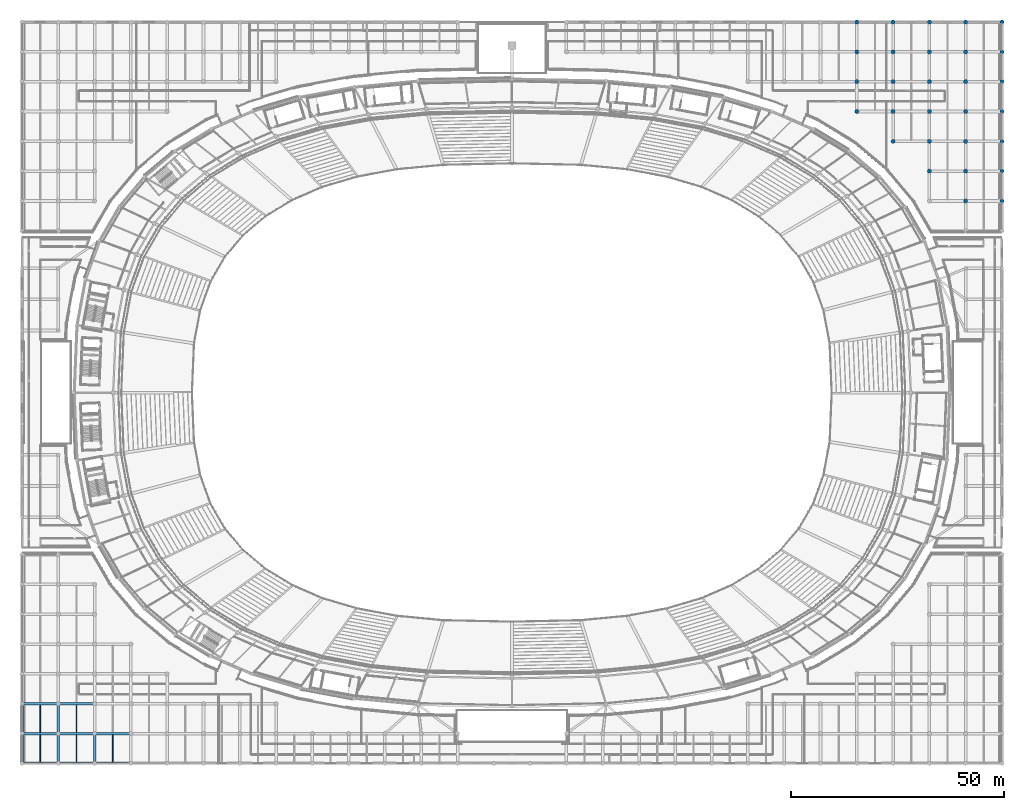
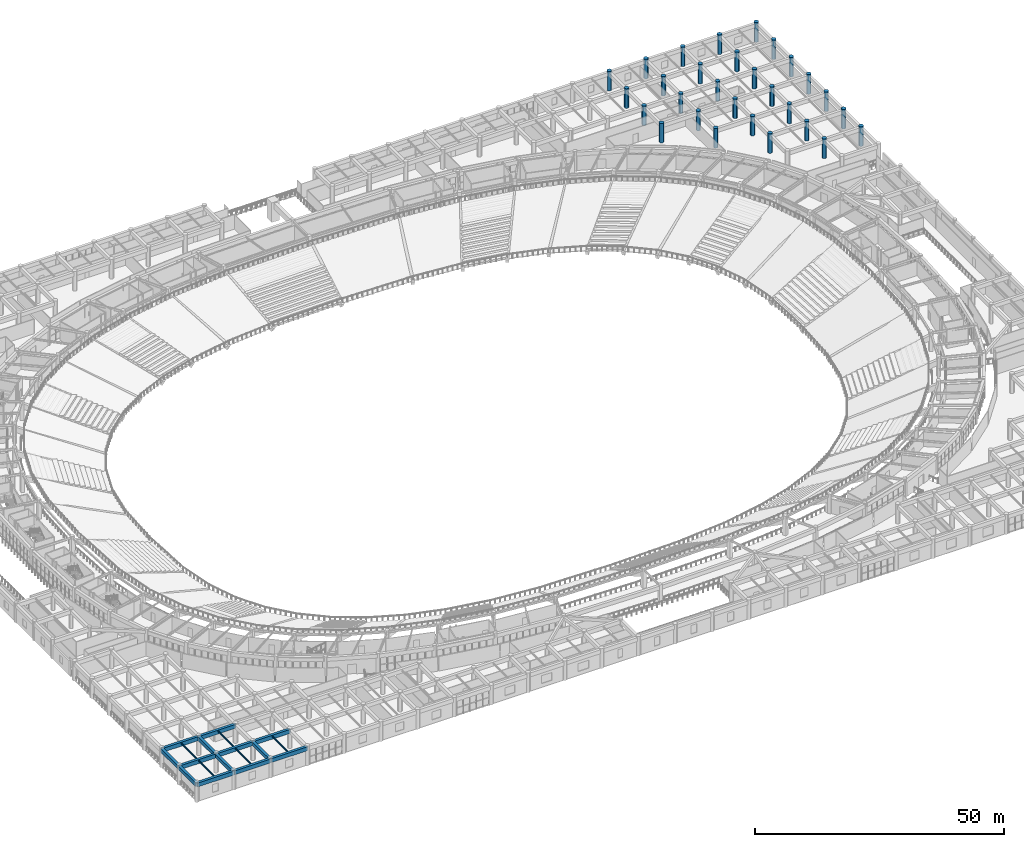
# One storey, part 10 of 137: 29 columns, 18 beams.
"""IFC4 building model written with IfcOpenShell, lengths in metres."""

import ifcopenshell
import ifcopenshell.guid

model = None  # the IFC model being written
_history = None  # IfcOwnerHistory: only IFC2X3 demands one
_inside = {}  # id of a spatial element -> (the spatial element, [elements in it])
_under = {}  # id of a project, library or spatial element -> (it, [spatial elements below it])
_declared = {}  # id of a project -> (the project, [libraries it declares])
_typed = {}  # id of a type object -> (the type object, [elements of that type])
_made_of = {}  # id of a material, layer set ... -> (it, [elements and type objects made of it])


def new_model(schema):
    """Start an empty IFC model of exactly this schema.

    Asked for "IFC4X3", IfcOpenShell would pick the latest addendum, in which some entities
    have other attributes; the version numbers below select the first issue.
    IFC2X3 requires an IfcOwnerHistory on every rooted entity: one is made here for all.
    """
    global model, _history
    if schema == "IFC4X3":
        model = ifcopenshell.file(schema_version=(4, 3, 0, 0))
    else:
        model = ifcopenshell.file(schema=schema)
    _inside.clear()
    _under.clear()
    _declared.clear()
    _typed.clear()
    _made_of.clear()
    _history = None
    if model.schema == "IFC2X3":
        org = make("IfcOrganization", Name="unknown")
        user = make(
            "IfcPersonAndOrganization",
            ThePerson=make("IfcPerson", FamilyName="unknown"),
            TheOrganization=org,
        )
        app = make(
            "IfcApplication",
            ApplicationDeveloper=org,
            Version="unknown",
            ApplicationFullName="unknown",
            ApplicationIdentifier="unknown",
        )
        _history = make(
            "IfcOwnerHistory",
            OwningUser=user,
            OwningApplication=app,
            ChangeAction="ADDED",
            CreationDate=0,
        )
    return model


def make(cls, **values):
    """One entity of the class cls with the attributes given. An attribute that is None is left unset."""
    return model.create_entity(
        cls, **{name: value for name, value in values.items() if value is not None}
    )


def rooted(cls, **values):
    """An entity with a GlobalId (a new one), such as an element, a storey or a relation."""
    return make(cls, GlobalId=ifcopenshell.guid.new(), OwnerHistory=_history, **values)


def si_unit(unit_type, name, prefix=None):
    """IfcSIUnit, for example si_unit("LENGTHUNIT", "METRE", prefix="MILLI")."""
    return make("IfcSIUnit", UnitType=unit_type, Prefix=prefix, Name=name)


def assignment(units):
    """IfcUnitAssignment: the units of a project."""
    return None if units is None else make("IfcUnitAssignment", Units=units)


def point(xyz):
    """IfcCartesianPoint."""
    return None if xyz is None else make("IfcCartesianPoint", Coordinates=xyz)


def direction(xyz):
    """IfcDirection."""
    return None if xyz is None else make("IfcDirection", DirectionRatios=xyz)


def frame(location, z_axis=None, x_axis=None):
    """IfcAxis2Placement3D, a coordinate frame: its origin and axes. An axis left out is left unset."""
    return make(
        "IfcAxis2Placement3D",
        Location=point(location),
        Axis=direction(z_axis),
        RefDirection=direction(x_axis),
    )


def frame_2d(location, x_axis=None):
    """IfcAxis2Placement2D, a coordinate frame in the plane: its origin and x axis."""
    return make(
        "IfcAxis2Placement2D", Location=point(location), RefDirection=direction(x_axis)
    )


def origin():
    """The frame at (0, 0, 0) with its axes left unset."""
    return frame((0.0, 0.0, 0.0))


def origin_2d():
    """The frame at (0, 0) in the plane with its x axis left unset."""
    return frame_2d((0.0, 0.0))


def place(relative_to, where):
    """IfcLocalPlacement: puts the frame where relative to a parent placement (None: the world)."""
    return make(
        "IfcLocalPlacement", PlacementRelTo=relative_to, RelativePlacement=where
    )


def context(
    kind, dimensions, precision=None, world=None, true_north=None, identifier=None
):
    """IfcGeometricRepresentationContext, for example the 3D "Model" context."""
    return make(
        "IfcGeometricRepresentationContext",
        ContextIdentifier=identifier,
        ContextType=kind,
        CoordinateSpaceDimension=dimensions,
        Precision=precision,
        WorldCoordinateSystem=world,
        TrueNorth=true_north,
    )


def subcontext(parent, identifier, kind, view, scale=None):
    """IfcGeometricRepresentationSubContext, for example "Body" below "Model"."""
    return make(
        "IfcGeometricRepresentationSubContext",
        ContextIdentifier=identifier,
        ContextType=kind,
        ParentContext=parent,
        TargetScale=scale,
        TargetView=view,
    )


def project(units=None, contexts=None):
    """IfcProject with its units and contexts."""
    return rooted(
        "IfcProject",
        Name="project",
        RepresentationContexts=contexts,
        UnitsInContext=assignment(units),
    )


def spatial(cls, under=None, at=None, **own):
    """A site, building, storey or space (cls), placed at a placement, below another one or the project."""
    s = rooted(cls, ObjectPlacement=at, **own)
    if under is not None:
        _under.setdefault(under.id(), (under, []))[1].append(s)
    return s


def profile(cls, at=None, kind="AREA", **sizes):
    """A parametric profile (cls). Its sizes go by their IFC names, for example OverallWidth=200.0."""
    return make(cls, ProfileType=kind, Position=at, **sizes)


def rectangle(**sizes):
    """IfcRectangleProfileDef."""
    return profile("IfcRectangleProfileDef", **sizes)


def circle(**sizes):
    """IfcCircleProfileDef."""
    return profile("IfcCircleProfileDef", **sizes)


def i_section(**sizes):
    """IfcIShapeProfileDef."""
    return profile("IfcIShapeProfileDef", **sizes)


def extrude(swept, where, along, depth):
    """IfcExtrudedAreaSolid: the profile swept, set in the frame where, extruded along a direction by depth."""
    return make(
        "IfcExtrudedAreaSolid",
        SweptArea=swept,
        Position=where,
        ExtrudedDirection=direction(along),
        Depth=depth,
    )


def shape(context_of_items, identifier, shape_type, items):
    """IfcShapeRepresentation: the items that make up one representation, for example the "Body"."""
    return make(
        "IfcShapeRepresentation",
        ContextOfItems=context_of_items,
        RepresentationIdentifier=identifier,
        RepresentationType=shape_type,
        Items=items,
    )


def material(Name=None, Category=None):
    """IfcMaterial."""
    return make("IfcMaterial", Name=Name, Category=Category)


def material_profile(
    of_material, cross_section, Name=None, Category=None, Priority=None
):
    """IfcMaterialProfile: a cross section and its material."""
    return make(
        "IfcMaterialProfile",
        Name=Name,
        Material=of_material,
        Profile=cross_section,
        Priority=Priority,
        Category=Category,
    )


def profile_set(profiles, Name=None, composite=None):
    """IfcMaterialProfileSet."""
    return make(
        "IfcMaterialProfileSet",
        Name=Name,
        MaterialProfiles=profiles,
        CompositeProfile=composite,
    )


def made_of(thing, what):
    """Note that an element or type object is made of a material, layer set ...; save() writes the relation."""
    if what is not None:
        _made_of.setdefault(what.id(), (what, []))[1].append(thing)
    return thing


def type_object(cls, material=None, **own):
    """A type object (cls), such as IfcWallType, which elements share."""
    return made_of(rooted(cls, **own), material)


def element(
    cls,
    number,
    at=None,
    inside=None,
    cuts=None,
    type_object=None,
    material=None,
    context=None,
    identifier="Body",
    shape_type=None,
    held_by="IfcProductDefinitionShape",
    body=None,
    shapes=None,
    **own,
):
    """One element of the class cls, such as IfcWall. Its Tag is "e" and its number.

    at: its placement. inside: the storey or other place that contains it. cuts: it is an
    opening in that element (IfcRelVoidsElement). A single representation is given by context,
    identifier, shape_type and body (its items); several are given by shapes. held_by: the class
    of the entity that holds the representations. save() writes the other relations.
    """
    e = rooted(cls, Tag="e%d" % number, ObjectPlacement=at, **own)
    if body is not None:
        shapes = [shape(context, identifier, shape_type, body)]
    if shapes is not None:
        e.Representation = make(held_by, Representations=shapes)
    if inside is not None:
        _inside.setdefault(inside.id(), (inside, []))[1].append(e)
    if cuts is not None:
        rooted(
            "IfcRelVoidsElement", RelatingBuildingElement=cuts, RelatedOpeningElement=e
        )
    if type_object is not None:
        _typed.setdefault(type_object.id(), (type_object, []))[1].append(e)
    return made_of(e, material)


def aggregate(whole, parts):
    """IfcRelAggregates: a whole, such as a stair, and the parts it consists of."""
    return rooted("IfcRelAggregates", RelatingObject=whole, RelatedObjects=parts)


def save(model, path):
    """Write the relations noted so far, then the file.

    IfcRelAggregates (storeys below a building ...), IfcRelContainedInSpatialStructure (elements
    in a storey), IfcRelDefinesByType, IfcRelAssociatesMaterial and IfcRelDeclares: one each for
    every whole, place, type object, material and project.
    """
    for whole, parts in _under.values():
        aggregate(whole, parts)
    for where, things in _inside.values():
        rooted(
            "IfcRelContainedInSpatialStructure",
            RelatedElements=things,
            RelatingStructure=where,
        )
    for kind, things in _typed.values():
        rooted("IfcRelDefinesByType", RelatedObjects=things, RelatingType=kind)
    for what, things in _made_of.values():
        rooted("IfcRelAssociatesMaterial", RelatedObjects=things, RelatingMaterial=what)
    for by, libraries in _declared.values():
        rooted("IfcRelDeclares", RelatingContext=by, RelatedDefinitions=libraries)
    model.write(path)


model = new_model("IFC4")

# Units and contexts
model_context = context("Model", 3, precision=1e-05, world=origin(), true_north=direction((0.0, 1.0)))
body_context = subcontext(model_context, "Body", "Model", "MODEL_VIEW")
ifc_project = project(units=[si_unit("LENGTHUNIT", "METRE"), si_unit("AREAUNIT", "SQUARE_METRE"), si_unit("VOLUMEUNIT", "CUBIC_METRE"), si_unit("PLANEANGLEUNIT", "RADIAN"), si_unit("MASSUNIT", "GRAM", prefix="KILO")], contexts=[model_context])

# Site, building, storey
site_placement = place(None, origin())
site = spatial("IfcSite", under=ifc_project, at=site_placement, CompositionType="ELEMENT")
building_placement = place(site_placement, origin())
building = spatial("IfcBuilding", under=site, at=building_placement, Name="Mphavela Belvedere Stadium", CompositionType="ELEMENT")
storey_placement = place(building_placement, frame((0.0, 0.0, 19.199951171875)))
storey = spatial("IfcBuildingStorey", under=building, at=storey_placement, Name="L04", CompositionType="ELEMENT", Elevation=19.199951171875)

# Columns
ifc_material_1 = material(Name="Concrete C40/50", Category="concrete")
ifc_material_profile_1 = material_profile(ifc_material_1, circle(Radius=0.47509765625, at=origin_2d()), Name="COL D950")
ifc_profile_set_1 = profile_set([ifc_material_profile_1], Name="Concrete C40/50")
column_type = type_object("IfcColumnType", Name="COL-DORIC-950", PredefinedType="COLUMN", material=ifc_profile_set_1)
for number, where, z_axis, x_axis, name in (
    (1, (195.926025390625, 153.0, 0.0), (0.0, 0.0, 1.0), (1.0, 0.0, 0.0), "North Mast and Ceremonial End Forecourt classical column L04 24-5"),
    (2, (195.926025390625, 160.0, 0.0), (0.0, 0.0, 1.0), (1.0, 0.0, 0.0), "North Mast and Ceremonial End Forecourt classical column L04 24-6"),
    (3, (195.926025390625, 167.0, 0.0), (0.0, 0.0, 1.0), (1.0, 0.0, 0.0), "North Mast and Ceremonial End Forecourt classical column L04 24-7"),
    (4, (195.926025390625, 174.0, 0.0), (0.0, 0.0, 1.0), (1.0, 0.0, 0.0), "North Mast and Ceremonial End Forecourt classical column L04 24-8"),
    (5, (204.444091796875, 146.0, 0.0), (0.0, 0.0, 1.0), (1.0, 0.0, 0.0), "North Mast and Ceremonial End Forecourt classical column L04 25-4"),
    (6, (204.444091796875, 153.0, 0.0), (0.0, 0.0, 1.0), (1.0, 0.0, 0.0), "North Mast and Ceremonial End Forecourt classical column L04 25-5"),
    (7, (204.444091796875, 160.0, 0.0), (0.0, 0.0, 1.0), (1.0, 0.0, 0.0), "North Mast and Ceremonial End Forecourt classical column L04 25-6"),
    (8, (204.444091796875, 167.0, 0.0), (0.0, 0.0, 1.0), (1.0, 0.0, 0.0), "North Mast and Ceremonial End Forecourt classical column L04 25-7"),
    (9, (204.444091796875, 174.0, 0.0), (0.0, 0.0, 1.0), (1.0, 0.0, 0.0), "North Mast and Ceremonial End Forecourt classical column L04 25-8"),
    (10, (212.962890625, 139.0, 0.0), (0.0, 0.0, 1.0), (1.0, 0.0, 0.0), "North Mast and Ceremonial End Forecourt classical column L04 26-3"),
    (11, (212.962890625, 146.0, 0.0), (0.0, 0.0, 1.0), (1.0, 0.0, 0.0), "North Mast and Ceremonial End Forecourt classical column L04 26-4"),
    (12, (212.962890625, 153.0, 0.0), (0.0, 0.0, 1.0), (1.0, 0.0, 0.0), "North Mast and Ceremonial End Forecourt classical column L04 26-5"),
    (13, (212.962890625, 160.0, 0.0), (0.0, 0.0, 1.0), (1.0, 0.0, 0.0), "North Mast and Ceremonial End Forecourt classical column L04 26-6"),
    (14, (212.962890625, 167.0, 0.0), (0.0, 0.0, 1.0), (1.0, 0.0, 0.0), "North Mast and Ceremonial End Forecourt classical column L04 26-7"),
    (15, (212.962890625, 174.0, 0.0), (0.0, 0.0, 1.0), (1.0, 0.0, 0.0), "North Mast and Ceremonial End Forecourt classical column L04 26-8"),
    (16, (221.48095703125, 132.0, 0.0), (0.0, 0.0, 1.0), (1.0, 0.0, 0.0), "North Mast and Ceremonial End Forecourt classical column L04 27-2"),
    (17, (221.48095703125, 139.0, 0.0), (0.0, 0.0, 1.0), (1.0, 0.0, 0.0), "North Mast and Ceremonial End Forecourt classical column L04 27-3"),
    (18, (221.48095703125, 146.0, 0.0), (0.0, 0.0, 1.0), (1.0, 0.0, 0.0), "North Mast and Ceremonial End Forecourt classical column L04 27-4"),
    (19, (221.48095703125, 153.0, 0.0), (0.0, 0.0, 1.0), (1.0, 0.0, 0.0), "North Mast and Ceremonial End Forecourt classical column L04 27-5"),
    (20, (221.48095703125, 160.0, 0.0), (0.0, 0.0, 1.0), (1.0, 0.0, 0.0), "North Mast and Ceremonial End Forecourt classical column L04 27-6"),
    (21, (221.48095703125, 167.0, 0.0), (0.0, 0.0, 1.0), (1.0, 0.0, 0.0), "North Mast and Ceremonial End Forecourt classical column L04 27-7"),
    (22, (221.48095703125, 174.0, 0.0), (0.0, 0.0, 1.0), (1.0, 0.0, 0.0), "North Mast and Ceremonial End Forecourt classical column L04 27-8"),
    (23, (230.0, 132.0, 0.0), (0.0, 0.0, 1.0), (1.0, 0.0, 0.0), "North Mast and Ceremonial End Forecourt classical column L04 28-2"),
    (24, (230.0, 139.0, 0.0), (0.0, 0.0, 1.0), (1.0, 0.0, 0.0), "North Mast and Ceremonial End Forecourt classical column L04 28-3"),
    (25, (230.0, 146.0, 0.0), (0.0, 0.0, 1.0), (1.0, 0.0, 0.0), "North Mast and Ceremonial End Forecourt classical column L04 28-4"),
    (26, (230.0, 153.0, 0.0), (0.0, 0.0, 1.0), (1.0, 0.0, 0.0), "North Mast and Ceremonial End Forecourt classical column L04 28-5"),
    (27, (230.0, 160.0, 0.0), (0.0, 0.0, 1.0), (1.0, 0.0, 0.0), "North Mast and Ceremonial End Forecourt classical column L04 28-6"),
    (28, (230.0, 167.0, 0.0), (0.0, 0.0, 1.0), (1.0, 0.0, 0.0), "North Mast and Ceremonial End Forecourt classical column L04 28-7"),
    (29, (230.0, 174.0, 0.0), (0.0, 0.0, 1.0), (1.0, 0.0, 0.0), "North Mast and Ceremonial End Forecourt classical column L04 28-8"),
):
    element("IfcColumn", number, at=place(storey_placement, frame(where, z_axis=z_axis, x_axis=x_axis)), inside=storey, type_object=column_type, Name=name, PredefinedType="COLUMN", context=body_context, shape_type="SweptSolid", body=[
        extrude(circle(Radius=0.47509765625, at=origin_2d()), origin(), (0.0, 0.0, 1.0), 4.800048828125),
    ])

# Beams
ifc_material_2 = material(Name="Concrete C40/50", Category="concrete")
ifc_material_profile_2 = material_profile(ifc_material_2, rectangle(XDim=0.60009765625, YDim=0.949951171875, at=origin_2d()), Name="RC 600x950")
ifc_profile_set_2 = profile_set([ifc_material_profile_2], Name="Concrete C40/50")
beam_type_1 = type_object("IfcBeamType", Name="BM-ENTABLATURE-950", PredefinedType="SPANDREL", material=ifc_profile_set_2)
beam_1_placement = place(storey_placement, frame((0.0, 0.0, 4.06494140625), z_axis=(1.0, 0.0, 0.0), x_axis=(0.0, 1.0, 0.0)))
element("IfcBeam", 30, at=beam_1_placement, inside=storey, type_object=beam_type_1, Name="South Axial Triumphal Peristyle Portico entablature beam X L04 1-1", PredefinedType="SPANDREL", context=body_context, shape_type="SweptSolid", body=[
    extrude(rectangle(XDim=0.60009765625, YDim=0.949951171875, at=origin_2d()), origin(), (0.0, 0.0, 1.0), 8.51904296875),
])
beam_2_placement = place(storey_placement, frame((0.0, 0.0, 4.06494140625), z_axis=(0.0, 1.0, 0.0), x_axis=(-1.0, 0.0, 0.0)))
element("IfcBeam", 31, at=beam_2_placement, inside=storey, type_object=beam_type_1, Name="South Axial Triumphal Peristyle Portico entablature beam Y L04 1-1", PredefinedType="SPANDREL", context=body_context, shape_type="SweptSolid", body=[
    extrude(rectangle(XDim=0.60009765625, YDim=0.949951171875, at=origin_2d()), origin(), (0.0, 0.0, 1.0), 7.0),
])
beam_3_placement = place(storey_placement, frame((0.0, 7.0, 4.06494140625), z_axis=(1.0, 0.0, 0.0), x_axis=(0.0, 1.0, 0.0)))
element("IfcBeam", 32, at=beam_3_placement, inside=storey, type_object=beam_type_1, Name="South Axial Triumphal Peristyle Portico entablature beam X L04 1-2", PredefinedType="SPANDREL", context=body_context, shape_type="SweptSolid", body=[
    extrude(rectangle(XDim=0.60009765625, YDim=0.949951171875, at=origin_2d()), origin(), (0.0, 0.0, 1.0), 8.51904296875),
])
beam_4_placement = place(storey_placement, frame((0.0, 7.0, 4.06494140625), z_axis=(0.0, 1.0, 0.0), x_axis=(-1.0, 0.0, 0.0)))
element("IfcBeam", 33, at=beam_4_placement, inside=storey, type_object=beam_type_1, Name="South Axial Triumphal Peristyle Portico entablature beam Y L04 1-2", PredefinedType="SPANDREL", context=body_context, shape_type="SweptSolid", body=[
    extrude(rectangle(XDim=0.60009765625, YDim=0.949951171875, at=origin_2d()), origin(), (0.0, 0.0, 1.0), 7.0),
])
beam_5_placement = place(storey_placement, frame((0.0, 14.0, 4.06494140625), z_axis=(1.0, 0.0, 0.0), x_axis=(0.0, 1.0, 0.0)))
element("IfcBeam", 34, at=beam_5_placement, inside=storey, type_object=beam_type_1, Name="South Axial Triumphal Peristyle Portico entablature beam X L04 1-3", PredefinedType="SPANDREL", context=body_context, shape_type="SweptSolid", body=[
    extrude(rectangle(XDim=0.60009765625, YDim=0.949951171875, at=origin_2d()), origin(), (0.0, 0.0, 1.0), 8.51904296875),
])
beam_6_placement = place(storey_placement, frame((8.51904296875, 0.0, 4.06494140625), z_axis=(1.0, 0.0, 0.0), x_axis=(0.0, 1.0, 0.0)))
element("IfcBeam", 35, at=beam_6_placement, inside=storey, type_object=beam_type_1, Name="South Axial Triumphal Peristyle Portico entablature beam X L04 2-1", PredefinedType="SPANDREL", context=body_context, shape_type="SweptSolid", body=[
    extrude(rectangle(XDim=0.60009765625, YDim=0.949951171875, at=origin_2d()), origin(), (0.0, 0.0, 1.0), 8.51806640625),
])
beam_7_placement = place(storey_placement, frame((8.51904296875, 0.0, 4.06494140625), z_axis=(0.0, 1.0, 0.0), x_axis=(-1.0, 0.0, 0.0)))
element("IfcBeam", 36, at=beam_7_placement, inside=storey, type_object=beam_type_1, Name="South Axial Triumphal Peristyle Portico entablature beam Y L04 2-1", PredefinedType="SPANDREL", context=body_context, shape_type="SweptSolid", body=[
    extrude(rectangle(XDim=0.60009765625, YDim=0.949951171875, at=origin_2d()), origin(), (0.0, 0.0, 1.0), 7.0),
])
beam_8_placement = place(storey_placement, frame((8.51904296875, 7.0, 4.06494140625), z_axis=(1.0, 0.0, 0.0), x_axis=(0.0, 1.0, 0.0)))
element("IfcBeam", 37, at=beam_8_placement, inside=storey, type_object=beam_type_1, Name="South Axial Triumphal Peristyle Portico entablature beam X L04 2-2", PredefinedType="SPANDREL", context=body_context, shape_type="SweptSolid", body=[
    extrude(rectangle(XDim=0.60009765625, YDim=0.949951171875, at=origin_2d()), origin(), (0.0, 0.0, 1.0), 8.51806640625),
])
beam_9_placement = place(storey_placement, frame((8.51904296875, 7.0, 4.06494140625), z_axis=(0.0, 1.0, 0.0), x_axis=(-1.0, 0.0, 0.0)))
element("IfcBeam", 38, at=beam_9_placement, inside=storey, type_object=beam_type_1, Name="South Axial Triumphal Peristyle Portico entablature beam Y L04 2-2", PredefinedType="SPANDREL", context=body_context, shape_type="SweptSolid", body=[
    extrude(rectangle(XDim=0.60009765625, YDim=0.949951171875, at=origin_2d()), origin(), (0.0, 0.0, 1.0), 7.0),
])
beam_10_placement = place(storey_placement, frame((8.51904296875, 14.0, 4.06494140625), z_axis=(1.0, 0.0, 0.0), x_axis=(0.0, 1.0, 0.0)))
element("IfcBeam", 39, at=beam_10_placement, inside=storey, type_object=beam_type_1, Name="South Axial Triumphal Peristyle Portico entablature beam X L04 2-3", PredefinedType="SPANDREL", context=body_context, shape_type="SweptSolid", body=[
    extrude(rectangle(XDim=0.60009765625, YDim=0.949951171875, at=origin_2d()), origin(), (0.0, 0.0, 1.0), 8.51806640625),
])
beam_11_placement = place(storey_placement, frame((17.037109375, 0.0, 4.06494140625), z_axis=(1.0, 0.0, 0.0), x_axis=(0.0, 1.0, 0.0)))
element("IfcBeam", 40, at=beam_11_placement, inside=storey, type_object=beam_type_1, Name="South Axial Triumphal Peristyle Portico entablature beam X L04 3-1", PredefinedType="SPANDREL", context=body_context, shape_type="SweptSolid", body=[
    extrude(rectangle(XDim=0.60009765625, YDim=0.949951171875, at=origin_2d()), origin(), (0.0, 0.0, 1.0), 8.518798828125),
])
beam_12_placement = place(storey_placement, frame((17.037109375, 0.0, 4.06494140625), z_axis=(0.0, 1.0, 0.0), x_axis=(-1.0, 0.0, 0.0)))
element("IfcBeam", 41, at=beam_12_placement, inside=storey, type_object=beam_type_1, Name="South Axial Triumphal Peristyle Portico entablature beam Y L04 3-1", PredefinedType="SPANDREL", context=body_context, shape_type="SweptSolid", body=[
    extrude(rectangle(XDim=0.60009765625, YDim=0.949951171875, at=origin_2d()), origin(), (0.0, 0.0, 1.0), 7.0),
])
beam_13_placement = place(storey_placement, frame((17.037109375, 7.0, 4.06494140625), z_axis=(1.0, 0.0, 0.0), x_axis=(0.0, 1.0, 0.0)))
element("IfcBeam", 42, at=beam_13_placement, inside=storey, type_object=beam_type_1, Name="South Axial Triumphal Peristyle Portico entablature beam X L04 3-2", PredefinedType="SPANDREL", context=body_context, shape_type="SweptSolid", body=[
    extrude(rectangle(XDim=0.60009765625, YDim=0.949951171875, at=origin_2d()), origin(), (0.0, 0.0, 1.0), 8.518798828125),
])
ifc_material_3 = material(Name="Steel S355", Category="steel")
ifc_material_profile_3 = material_profile(ifc_material_3, i_section(OverallWidth=0.169921875, OverallDepth=0.360107421875, WebThickness=0.008056640625, FlangeThickness=0.0126953125, at=origin_2d()), Name="IPE 360")
ifc_profile_set_3 = profile_set([ifc_material_profile_3], Name="Steel S355")
beam_type_2 = type_object("IfcBeamType", Name="BM-JOIST-IPE360", PredefinedType="JOIST", material=ifc_profile_set_3)
for number, where, z_axis, x_axis, name in (
    (43, (4.259521484375, 0.300048828125, 4.360107421875), (0.0, 1.0, 0.0), (-1.0, 0.0, 0.0), "South Axial Triumphal Peristyle Portico secondary joist L04 1-1"),
    (44, (4.259521484375, 7.300048828125, 4.360107421875), (0.0, 1.0, 0.0), (-1.0, 0.0, 0.0), "South Axial Triumphal Peristyle Portico secondary joist L04 1-2"),
    (45, (12.778076171875, 0.300048828125, 4.360107421875), (0.0, 1.0, 0.0), (-1.0, 0.0, 0.0), "South Axial Triumphal Peristyle Portico secondary joist L04 2-1"),
    (46, (12.778076171875, 7.300048828125, 4.360107421875), (0.0, 1.0, 0.0), (-1.0, 0.0, 0.0), "South Axial Triumphal Peristyle Portico secondary joist L04 2-2"),
    (47, (21.29638671875, 0.300048828125, 4.360107421875), (0.0, 1.0, 0.0), (-1.0, 0.0, 0.0), "South Axial Triumphal Peristyle Portico secondary joist L04 3-1"),
):
    element("IfcBeam", number, at=place(storey_placement, frame(where, z_axis=z_axis, x_axis=x_axis)), inside=storey, type_object=beam_type_2, Name=name, PredefinedType="JOIST", context=body_context, shape_type="SweptSolid", body=[
        extrude(i_section(OverallWidth=0.169921875, OverallDepth=0.360107421875, WebThickness=0.008056640625, FlangeThickness=0.0126953125, at=origin_2d()), origin(), (0.0, 0.0, 1.0), 6.39990234375),
    ])

save(model, "model.ifc")
